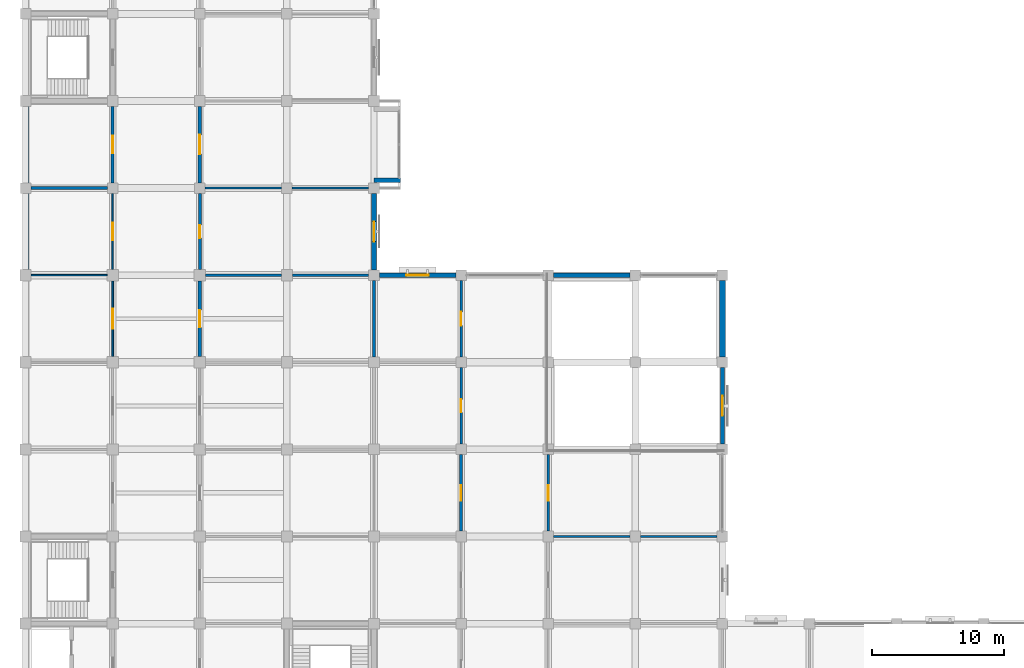
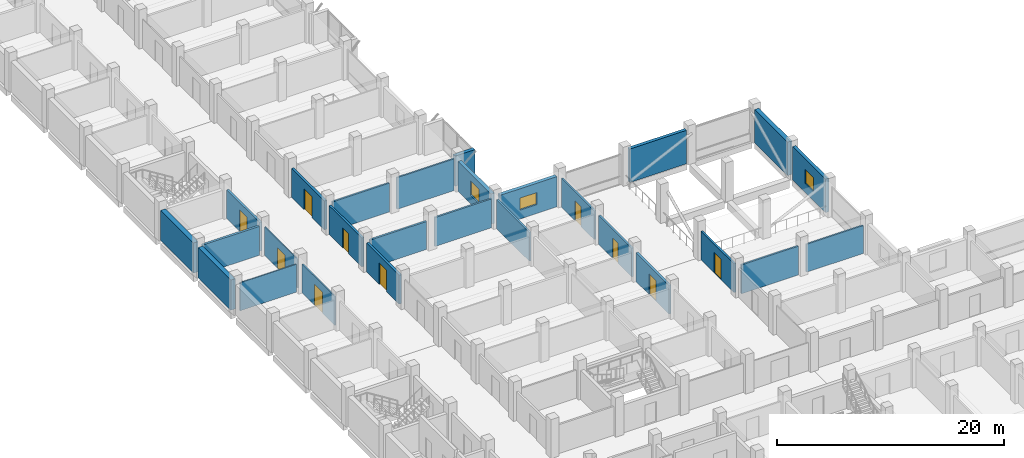
# One storey, part 20 of 30: 27 walls, 10 doors, 3 windows, 13 openings.
"""IFC4 building model written with IfcOpenShell, lengths in metres."""

from ifc_helpers import new_model, si_unit, direction, frame, frame_2d, origin, place, context, subcontext, project, spatial, rectangle, extrude, material, layer, layer_set, type_object, element, fill, save


model = new_model("IFC4")

# Units and contexts
model_context = context("Model", 3, precision=1e-05, world=origin(), true_north=direction((0.0, 1.0)))
body_context = subcontext(model_context, "Body", "Model", "MODEL_VIEW")
ifc_project = project(units=[si_unit("LENGTHUNIT", "METRE"), si_unit("AREAUNIT", "SQUARE_METRE"), si_unit("VOLUMEUNIT", "CUBIC_METRE"), si_unit("PLANEANGLEUNIT", "RADIAN"), si_unit("MASSUNIT", "GRAM", prefix="KILO")], contexts=[model_context])

# Site, building, storey
site_placement = place(None, origin())
site = spatial("IfcSite", under=ifc_project, at=site_placement, CompositionType="ELEMENT")
building_placement = place(site_placement, origin())
building = spatial("IfcBuilding", under=site, at=building_placement, Name="Rusizi Kubbe Research Institute", CompositionType="ELEMENT")
storey_placement = place(building_placement, frame((0.0, 0.0, 10.199951171875)))
storey = spatial("IfcBuildingStorey", under=building, at=storey_placement, Name="L02", CompositionType="ELEMENT", Elevation=10.199951171875)

# Wall
ifc_material_1 = material(Name="Volcanic Basalt Ashlar Masonry", Category="masonry")
ifc_layer_1 = layer(ifc_material_1, 0.43994140625)
ifc_layer_set_1 = layer_set([ifc_layer_1], Name="Volcanic Basalt Ashlar Masonry")
wall_type_1 = type_object("IfcWallType", Name="EW-01", PredefinedType="SOLIDWALL", material=ifc_layer_set_1)
wall_1_placement = place(storey_placement, frame((52.800048828125, 46.60009765625, 0.0), z_axis=(0.0, 0.0, 1.0), x_axis=(0.0, 1.0, 0.0)))
element("IfcWall", 1, at=wall_1_placement, inside=storey, type_object=wall_type_1, Name="Ablaq Stone Exterior Wall L02 V8-7", PredefinedType="SOLIDWALL", context=body_context, shape_type="SweptSolid", body=[
    extrude(rectangle(XDim=5.7998046875, YDim=0.43994140625, at=frame_2d((2.89990234375, 0.0))), origin(), (0.0, 0.0, 1.0), 3.60009765625),
])

# Wall, opening, window
ifc_material_2 = material(Name="Volcanic Basalt Ashlar Masonry", Category="masonry")
ifc_layer_2 = layer(ifc_material_2, 0.35498046875)
ifc_layer_set_2 = layer_set([ifc_layer_2], Name="Volcanic Basalt Ashlar Masonry")
wall_type_2 = type_object("IfcWallType", Name="EW-06", PredefinedType="SOLIDWALL", material=ifc_layer_set_2)
wall_2_placement = place(storey_placement, frame((26.39990234375, 53.199951171875, 0.0), z_axis=(0.0, 0.0, 1.0), x_axis=(0.0, 1.0, 0.0)))
wall_2 = element("IfcWall", 2, at=wall_2_placement, inside=storey, type_object=wall_type_2, Name="Ablaq Stone Exterior Wall L02 V4-8", PredefinedType="SOLIDWALL", context=body_context, shape_type="SweptSolid", body=[
    extrude(rectangle(XDim=5.800048828125, YDim=0.35498046875, at=frame_2d((2.89990234375, 0.0))), origin(), (0.0, 0.0, 1.0), 3.25),
])
opening_1_placement = place(wall_2_placement, frame((2.139892578125, 0.0, 0.949951171875)))
opening_1 = element("IfcOpeningElement", 3, at=opening_1_placement, cuts=wall_2, Name="Opening WN-18", PredefinedType="OPENING", context=body_context, shape_type="SweptSolid", body=[
    extrude(rectangle(XDim=1.52001953125, YDim=1.52001953125, at=frame_2d((0.760009765625, 0.760009765625))), frame((0.0, 0.1875, 0.0), z_axis=(0.0, -1.0, 0.0), x_axis=(1.0, 0.0, 0.0)), (0.0, 0.0, 1.0), 0.375),
])
ifc_material_3 = material(Name="Aluminium Frame and Solar-Control Double Glazing", Category="glass")
window_type_1 = type_object("IfcWindowType", Name="WN-18", PartitioningType="DOUBLE_PANEL_VERTICAL", PredefinedType="WINDOW", material=ifc_material_3)
window_1_placement = place(opening_1_placement, origin())
window_1 = element("IfcWindow", 4, at=window_1_placement, inside=storey, type_object=window_type_1, Name="Casement Window WN-18 L02", OverallHeight=1.52001953125, OverallWidth=1.52001953125, PartitioningType="DOUBLE_PANEL_VERTICAL", PredefinedType="WINDOW", context=body_context, shape_type="SweptSolid", body=[
    extrude(rectangle(XDim=1.52001953125, YDim=1.52001953125, at=frame_2d((0.760009765625, 0.760009765625))), frame((0.0, 0.030029296875, 0.0), z_axis=(0.0, -1.0, 0.0), x_axis=(1.0, 0.0, 0.0)), (0.0, 0.0, 1.0), 0.06005859375),
])
fill(opening_1, window_1)

# Wall
wall_3_placement = place(storey_placement, frame((26.39990234375, 60.0, 0.0), z_axis=(0.0, 0.0, 1.0), x_axis=(1.0, 0.0, 0.0)))
element("IfcWall", 5, at=wall_3_placement, inside=storey, type_object=wall_type_2, Name="Cumba Return Wall S L02 (4,9)", PredefinedType="SOLIDWALL", context=body_context, shape_type="SweptSolid", body=[
    extrude(rectangle(XDim=2.0, YDim=0.35498046875, at=frame_2d((1.0, 0.0))), origin(), (0.0, 0.0, 1.0), 3.25),
])

# Wall, opening, window
wall_4_placement = place(storey_placement, frame((26.800048828125, 52.800048828125, 0.0), z_axis=(0.0, 0.0, 1.0), x_axis=(1.0, 0.0, 0.0)))
wall_4 = element("IfcWall", 6, at=wall_4_placement, inside=storey, type_object=wall_type_2, Name="Ablaq Stone Exterior Wall L02 H4-8", PredefinedType="SOLIDWALL", context=body_context, shape_type="SweptSolid", body=[
    extrude(rectangle(XDim=5.800048828125, YDim=0.35498046875, at=frame_2d((2.89990234375, 0.0))), origin(), (0.0, 0.0, 1.0), 3.25),
])
opening_2_placement = place(wall_4_placement, frame((2.0400390625, 0.0, 0.949951171875)))
opening_2 = element("IfcOpeningElement", 7, at=opening_2_placement, cuts=wall_4, Name="Opening WN-21", PredefinedType="OPENING", context=body_context, shape_type="SweptSolid", body=[
    extrude(rectangle(XDim=1.719970703125, YDim=1.300048828125, at=frame_2d((0.85986328125, 0.64990234375))), frame((0.0, 0.1875, 0.0), z_axis=(0.0, -1.0, 0.0), x_axis=(1.0, 0.0, 0.0)), (0.0, 0.0, 1.0), 0.375),
])
ifc_material_4 = material(Name="Aluminium Frame and Solar-Control Double Glazing", Category="glass")
window_type_2 = type_object("IfcWindowType", Name="WN-21", PartitioningType="DOUBLE_PANEL_VERTICAL", PredefinedType="WINDOW", material=ifc_material_4)
window_2_placement = place(opening_2_placement, origin())
window_2 = element("IfcWindow", 8, at=window_2_placement, inside=storey, type_object=window_type_2, Name="Casement Window WN-21 L02", OverallHeight=1.300048828125, OverallWidth=1.719970703125, PartitioningType="DOUBLE_PANEL_VERTICAL", PredefinedType="WINDOW", context=body_context, shape_type="SweptSolid", body=[
    extrude(rectangle(XDim=1.719970703125, YDim=1.300048828125, at=frame_2d((0.85986328125, 0.64990234375))), frame((0.0, 0.030029296875, 0.0), z_axis=(0.0, -1.0, 0.0), x_axis=(1.0, 0.0, 0.0)), (0.0, 0.0, 1.0), 0.06005859375),
])
fill(opening_2, window_2)

# Wall
ifc_material_5 = material(Name="Volcanic Basalt Ashlar Masonry", Category="masonry")
ifc_layer_3 = layer(ifc_material_5, 0.324951171875)
ifc_layer_set_3 = layer_set([ifc_layer_3], Name="Volcanic Basalt Ashlar Masonry")
wall_type_3 = type_object("IfcWallType", Name="EW-08", PredefinedType="SOLIDWALL", material=ifc_layer_set_3)
wall_5_placement = place(storey_placement, frame((40.0, 52.800048828125, 0.0), z_axis=(0.0, 0.0, 1.0), x_axis=(1.0, 0.0, 0.0)))
element("IfcWall", 9, at=wall_5_placement, inside=storey, type_object=wall_type_3, Name="Ablaq Stone Exterior Wall L02 H6-8", PredefinedType="SOLIDWALL", context=body_context, shape_type="SweptSolid", body=[
    extrude(rectangle(XDim=5.800048828125, YDim=0.324951171875, at=frame_2d((2.89990234375, 0.0))), origin(), (0.0, 0.0, 1.0), 3.60009765625),
])

# Wall, opening, window
wall_6_placement = place(storey_placement, frame((52.800048828125, 40.0, 0.0), z_axis=(0.0, 0.0, 1.0), x_axis=(0.0, 1.0, 0.0)))
wall_6 = element("IfcWall", 10, at=wall_6_placement, inside=storey, type_object=wall_type_3, Name="Ablaq Stone Exterior Wall L02 V8-6", PredefinedType="SOLIDWALL", context=body_context, shape_type="SweptSolid", body=[
    extrude(rectangle(XDim=5.800048828125, YDim=0.324951171875, at=frame_2d((2.89990234375, 0.0))), origin(), (0.0, 0.0, 1.0), 3.60009765625),
])
opening_3_placement = place(wall_6_placement, frame((2.139892578125, 0.0, 0.949951171875)))
opening_3 = element("IfcOpeningElement", 11, at=opening_3_placement, cuts=wall_6, Name="Opening WN-18", PredefinedType="OPENING", context=body_context, shape_type="SweptSolid", body=[
    extrude(rectangle(XDim=1.52001953125, YDim=1.52001953125, at=frame_2d((0.760009765625, 0.760009765625))), frame((0.0, 0.17236328125, 0.0), z_axis=(0.0, -1.0, 0.0), x_axis=(1.0, 0.0, 0.0)), (0.0, 0.0, 1.0), 0.344970703125),
])
window_3_placement = place(opening_3_placement, origin())
window_3 = element("IfcWindow", 12, at=window_3_placement, inside=storey, type_object=window_type_1, Name="Casement Window WN-18 L02", OverallHeight=1.52001953125, OverallWidth=1.52001953125, PartitioningType="DOUBLE_PANEL_VERTICAL", PredefinedType="WINDOW", context=body_context, shape_type="SweptSolid", body=[
    extrude(rectangle(XDim=1.52001953125, YDim=1.52001953125, at=frame_2d((0.760009765625, 0.760009765625))), frame((0.0, 0.030029296875, 0.0), z_axis=(0.0, -1.0, 0.0), x_axis=(1.0, 0.0, 0.0)), (0.0, 0.0, 1.0), 0.06005859375),
])
fill(opening_3, window_3)

# Wall
ifc_material_6 = material(Name="Concrete Blockwork Fire Partition", Category="masonry")
ifc_layer_4 = layer(ifc_material_6, 0.22509765625)
ifc_layer_set_4 = layer_set([ifc_layer_4], Name="Concrete Blockwork Fire Partition")
wall_type_4 = type_object("IfcWallType", Name="IW-01", PredefinedType="PARTITIONING", material=ifc_layer_set_4)
wall_7_placement = place(storey_placement, frame((0.39990234375, 59.39990234375, 0.0), z_axis=(0.0, 0.0, 1.0), x_axis=(1.0, 0.0, 0.0)))
element("IfcWall", 13, at=wall_7_placement, inside=storey, type_object=wall_type_4, Name="Interior Partition Wall L02 H0-9", PredefinedType="PARTITIONING", context=body_context, shape_type="SweptSolid", body=[
    extrude(rectangle(XDim=5.800048828125, YDim=0.22509765625, at=frame_2d((2.89990234375, 0.0))), origin(), (0.0, 0.0, 1.0), 3.10009765625),
])

# Wall, opening, door
wall_8_placement = place(storey_placement, frame((6.60009765625, 59.800048828125, 0.0), z_axis=(0.0, 0.0, 1.0), x_axis=(0.0, 1.0, 0.0)))
wall_8 = element("IfcWall", 14, at=wall_8_placement, inside=storey, type_object=wall_type_4, Name="Interior Partition Wall L02 V1-9", PredefinedType="PARTITIONING", context=body_context, shape_type="SweptSolid", body=[
    extrude(rectangle(XDim=5.800048828125, YDim=0.22509765625, at=frame_2d((2.89990234375, 0.0))), origin(), (0.0, 0.0, 1.0), 3.10009765625),
])
opening_4_placement = place(wall_8_placement, frame((2.22509765625, 0.0, 0.0)))
opening_4 = element("IfcOpeningElement", 15, at=opening_4_placement, cuts=wall_8, Name="Opening D-13", PredefinedType="OPENING", context=body_context, shape_type="SweptSolid", body=[
    extrude(rectangle(XDim=1.35009765625, YDim=2.300048828125, at=frame_2d((0.675048828125, 1.14990234375))), frame((0.0, 0.12255859375, 0.0), z_axis=(0.0, -1.0, 0.0), x_axis=(1.0, 0.0, 0.0)), (0.0, 0.0, 1.0), 0.2451171875),
])
ifc_material_7 = material(Name="Fire-Rated Steel Frame and Acoustic Timber Leaf", Category="wood")
door_type_1 = type_object("IfcDoorType", Name="ID-LAB-135", OperationType="NOTDEFINED", PredefinedType="DOOR", material=ifc_material_7)
door_1_placement = place(opening_4_placement, origin())
door_1 = element("IfcDoor", 16, at=door_1_placement, inside=storey, type_object=door_type_1, Name="Door to Clean Room Metrology Laboratory (L02-WSP-09)", OperationType="SINGLE_SWING_LEFT", OverallHeight=2.300048828125, OverallWidth=1.35009765625, PredefinedType="DOOR", context=body_context, shape_type="SweptSolid", body=[
    extrude(rectangle(XDim=1.35009765625, YDim=2.300048828125, at=frame_2d((0.675048828125, 1.14990234375))), frame((0.0, 0.02490234375, 0.0), z_axis=(0.0, -1.0, 0.0), x_axis=(1.0, 0.0, 0.0)), (0.0, 0.0, 1.0), 0.050048828125),
])
fill(opening_4, door_1)

wall_9_placement = place(storey_placement, frame((13.199951171875, 53.22509765625, 0.0), z_axis=(0.0, 0.0, 1.0), x_axis=(0.0, 1.0, 0.0)))
wall_9 = element("IfcWall", 17, at=wall_9_placement, inside=storey, type_object=wall_type_4, Name="Interior Partition Wall L02 V2-8", PredefinedType="PARTITIONING", context=body_context, shape_type="SweptSolid", body=[
    extrude(rectangle(XDim=5.77490234375, YDim=0.22509765625, at=frame_2d((2.887451171875, 0.0))), origin(), (0.0, 0.0, 1.0), 3.10009765625),
])
opening_5_placement = place(wall_9_placement, frame((2.385009765625, 0.0, 0.0)))
opening_5 = element("IfcOpeningElement", 18, at=opening_5_placement, cuts=wall_9, Name="Opening D-20", PredefinedType="OPENING", context=body_context, shape_type="SweptSolid", body=[
    extrude(rectangle(XDim=0.97998046875, YDim=2.14990234375, at=frame_2d((0.489990234375, 1.074951171875))), frame((0.0, 0.12255859375, 0.0), z_axis=(0.0, -1.0, 0.0), x_axis=(1.0, 0.0, 0.0)), (0.0, 0.0, 1.0), 0.2451171875),
])
ifc_material_8 = material(Name="Fire-Rated Steel Frame and Acoustic Timber Leaf", Category="wood")
door_type_2 = type_object("IfcDoorType", Name="ID-OFF-980", OperationType="NOTDEFINED", PredefinedType="DOOR", material=ifc_material_8)
door_2_placement = place(opening_5_placement, origin())
door_2 = element("IfcDoor", 19, at=door_2_placement, inside=storey, type_object=door_type_2, Name="Door to Write-up Office (L02-NW-06)", OperationType="SINGLE_SWING_LEFT", OverallHeight=2.14990234375, OverallWidth=0.97998046875, PredefinedType="DOOR", context=body_context, shape_type="SweptSolid", body=[
    extrude(rectangle(XDim=0.97998046875, YDim=2.14990234375, at=frame_2d((0.489990234375, 1.074951171875))), frame((0.0, 0.02490234375, 0.0), z_axis=(0.0, -1.0, 0.0), x_axis=(1.0, 0.0, 0.0)), (0.0, 0.0, 1.0), 0.050048828125),
])
fill(opening_5, door_2)

wall_10_placement = place(storey_placement, frame((33.0, 33.39990234375, 0.0), z_axis=(0.0, 0.0, 1.0), x_axis=(0.0, 1.0, 0.0)))
wall_10 = element("IfcWall", 20, at=wall_10_placement, inside=storey, type_object=wall_type_4, Name="Interior Partition Wall L02 V5-5", PredefinedType="PARTITIONING", context=body_context, shape_type="SweptSolid", body=[
    extrude(rectangle(XDim=5.800048828125, YDim=0.22509765625, at=frame_2d((2.89990234375, 0.0))), origin(), (0.0, 0.0, 1.0), 3.10009765625),
])
opening_6_placement = place(wall_10_placement, frame((2.31005859375, 0.0, 0.0)))
opening_6 = element("IfcOpeningElement", 21, at=opening_6_placement, cuts=wall_10, Name="Opening D-19", PredefinedType="OPENING", context=body_context, shape_type="SweptSolid", body=[
    extrude(rectangle(XDim=1.179931640625, YDim=2.199951171875, at=frame_2d((0.58984375, 1.10009765625))), frame((0.0, 0.12255859375, 0.0), z_axis=(0.0, -1.0, 0.0), x_axis=(1.0, 0.0, 0.0)), (0.0, 0.0, 1.0), 0.2451171875),
])
ifc_material_9 = material(Name="Fire-Rated Steel Frame and Acoustic Timber Leaf", Category="wood")
door_type_3 = type_object("IfcDoorType", Name="ID-OFF-118", OperationType="NOTDEFINED", PredefinedType="DOOR", material=ifc_material_9)
door_3_placement = place(opening_6_placement, origin())
door_3 = element("IfcDoor", 22, at=door_3_placement, inside=storey, type_object=door_type_3, Name="Door to Write-up Office (L02-ELBW-05)", OperationType="SINGLE_SWING_RIGHT", OverallHeight=2.199951171875, OverallWidth=1.179931640625, PredefinedType="DOOR", context=body_context, shape_type="SweptSolid", body=[
    extrude(rectangle(XDim=1.179931640625, YDim=2.199951171875, at=frame_2d((0.58984375, 1.10009765625))), frame((0.0, 0.02490234375, 0.0), z_axis=(0.0, -1.0, 0.0), x_axis=(1.0, 0.0, 0.0)), (0.0, 0.0, 1.0), 0.050048828125),
])
fill(opening_6, door_3)

# Walls
ifc_material_10 = material(Name="Insulated Cleanroom Partition", Category="masonry")
ifc_layer_5 = layer(ifc_material_10, 0.195068359375)
ifc_layer_set_5 = layer_set([ifc_layer_5], Name="Insulated Cleanroom Partition")
wall_type_5 = type_object("IfcWallType", Name="IW-02", PredefinedType="PARTITIONING", material=ifc_layer_set_5)
wall_11_placement = place(storey_placement, frame((13.625, 52.800048828125, 0.0), z_axis=(0.0, 0.0, 1.0), x_axis=(1.0, 0.0, 0.0)))
element("IfcWall", 23, at=wall_11_placement, inside=storey, type_object=wall_type_5, Name="Interior Partition Wall L02 H2-8", PredefinedType="PARTITIONING", context=body_context, shape_type="SweptSolid", body=[
    extrude(rectangle(XDim=5.75, YDim=0.195068359375, at=frame_2d((2.875, 0.0))), origin(), (0.0, 0.0, 1.0), 3.0),
])
wall_12_placement = place(storey_placement, frame((26.39990234375, 46.60009765625, 0.0), z_axis=(0.0, 0.0, 1.0), x_axis=(0.0, 1.0, 0.0)))
element("IfcWall", 24, at=wall_12_placement, inside=storey, type_object=wall_type_5, Name="Interior Partition Wall L02 V4-7", PredefinedType="PARTITIONING", context=body_context, shape_type="SweptSolid", body=[
    extrude(rectangle(XDim=5.7998046875, YDim=0.195068359375, at=frame_2d((2.89990234375, 0.0))), origin(), (0.0, 0.0, 1.0), 3.10009765625),
])

# Wall, opening, door
wall_13_placement = place(storey_placement, frame((33.0, 40.0, 0.0), z_axis=(0.0, 0.0, 1.0), x_axis=(0.0, 1.0, 0.0)))
wall_13 = element("IfcWall", 25, at=wall_13_placement, inside=storey, type_object=wall_type_5, Name="Interior Partition Wall L02 V5-6", PredefinedType="PARTITIONING", context=body_context, shape_type="SweptSolid", body=[
    extrude(rectangle(XDim=5.800048828125, YDim=0.195068359375, at=frame_2d((2.89990234375, 0.0))), origin(), (0.0, 0.0, 1.0), 3.10009765625),
])
opening_7_placement = place(wall_13_placement, frame((2.409912109375, 0.0, 0.0)))
opening_7 = element("IfcOpeningElement", 26, at=opening_7_placement, cuts=wall_13, Name="Opening D-20", PredefinedType="OPENING", context=body_context, shape_type="SweptSolid", body=[
    extrude(rectangle(XDim=0.97998046875, YDim=2.14990234375, at=frame_2d((0.489990234375, 1.074951171875))), frame((0.0, 0.107421875, 0.0), z_axis=(0.0, -1.0, 0.0), x_axis=(1.0, 0.0, 0.0)), (0.0, 0.0, 1.0), 0.215087890625),
])
door_4_placement = place(opening_7_placement, origin())
door_4 = element("IfcDoor", 27, at=door_4_placement, inside=storey, type_object=door_type_2, Name="Door to Write-up Office (L02-ELBW-06)", OperationType="SINGLE_SWING_LEFT", OverallHeight=2.14990234375, OverallWidth=0.97998046875, PredefinedType="DOOR", context=body_context, shape_type="SweptSolid", body=[
    extrude(rectangle(XDim=0.97998046875, YDim=2.14990234375, at=frame_2d((0.489990234375, 1.074951171875))), frame((0.0, 0.02490234375, 0.0), z_axis=(0.0, -1.0, 0.0), x_axis=(1.0, 0.0, 0.0)), (0.0, 0.0, 1.0), 0.050048828125),
])
fill(opening_7, door_4)

wall_14_placement = place(storey_placement, frame((39.60009765625, 33.39990234375, 0.0), z_axis=(0.0, 0.0, 1.0), x_axis=(0.0, 1.0, 0.0)))
wall_14 = element("IfcWall", 28, at=wall_14_placement, inside=storey, type_object=wall_type_5, Name="Interior Partition Wall L02 V6-5", PredefinedType="PARTITIONING", context=body_context, shape_type="SweptSolid", body=[
    extrude(rectangle(XDim=5.800048828125, YDim=0.195068359375, at=frame_2d((2.89990234375, 0.0))), origin(), (0.0, 0.0, 1.0), 3.10009765625),
])
opening_8_placement = place(wall_14_placement, frame((2.31005859375, 0.0, 0.0)))
opening_8 = element("IfcOpeningElement", 29, at=opening_8_placement, cuts=wall_14, Name="Opening D-19", PredefinedType="OPENING", context=body_context, shape_type="SweptSolid", body=[
    extrude(rectangle(XDim=1.179931640625, YDim=2.199951171875, at=frame_2d((0.58984375, 1.10009765625))), frame((0.0, 0.107421875, 0.0), z_axis=(0.0, -1.0, 0.0), x_axis=(1.0, 0.0, 0.0)), (0.0, 0.0, 1.0), 0.215087890625),
])
door_5_placement = place(opening_8_placement, origin())
door_5 = element("IfcDoor", 30, at=door_5_placement, inside=storey, type_object=door_type_3, Name="Door to Write-up Office (L02-ELBE-05)", OperationType="SINGLE_SWING_RIGHT", OverallHeight=2.199951171875, OverallWidth=1.179931640625, PredefinedType="DOOR", context=body_context, shape_type="SweptSolid", body=[
    extrude(rectangle(XDim=1.179931640625, YDim=2.199951171875, at=frame_2d((0.58984375, 1.10009765625))), frame((0.0, 0.02490234375, 0.0), z_axis=(0.0, -1.0, 0.0), x_axis=(1.0, 0.0, 0.0)), (0.0, 0.0, 1.0), 0.050048828125),
])
fill(opening_8, door_5)

# Walls
ifc_material_11 = material(Name="Acoustic Laboratory Partition", Category="masonry")
ifc_layer_6 = layer(ifc_material_11, 0.175048828125)
ifc_layer_set_6 = layer_set([ifc_layer_6], Name="Acoustic Laboratory Partition")
wall_type_6 = type_object("IfcWallType", Name="IW-03", PredefinedType="PARTITIONING", material=ifc_layer_set_6)
wall_15_placement = place(storey_placement, frame((13.60009765625, 59.39990234375, 0.0), z_axis=(0.0, 0.0, 1.0), x_axis=(1.0, 0.0, 0.0)))
element("IfcWall", 31, at=wall_15_placement, inside=storey, type_object=wall_type_6, Name="Interior Partition Wall L02 H2-9", PredefinedType="PARTITIONING", context=body_context, shape_type="SweptSolid", body=[
    extrude(rectangle(XDim=5.7998046875, YDim=0.175048828125, at=frame_2d((2.89990234375, 0.0))), origin(), (0.0, 0.0, 1.0), 3.10009765625),
])
wall_16_placement = place(storey_placement, frame((20.22509765625, 52.800048828125, 0.0), z_axis=(0.0, 0.0, 1.0), x_axis=(1.0, 0.0, 0.0)))
element("IfcWall", 32, at=wall_16_placement, inside=storey, type_object=wall_type_6, Name="Interior Partition Wall L02 H3-8", PredefinedType="PARTITIONING", context=body_context, shape_type="SweptSolid", body=[
    extrude(rectangle(XDim=5.77490234375, YDim=0.175048828125, at=frame_2d((2.887451171875, 0.0))), origin(), (0.0, 0.0, 1.0), 3.10009765625),
])

# Wall, opening, door
wall_17_placement = place(storey_placement, frame((33.0, 46.60009765625, 0.0), z_axis=(0.0, 0.0, 1.0), x_axis=(0.0, 1.0, 0.0)))
wall_17 = element("IfcWall", 33, at=wall_17_placement, inside=storey, type_object=wall_type_6, Name="Interior Partition Wall L02 V5-7", PredefinedType="PARTITIONING", context=body_context, shape_type="SweptSolid", body=[
    extrude(rectangle(XDim=5.7998046875, YDim=0.175048828125, at=frame_2d((2.89990234375, 0.0))), origin(), (0.0, 0.0, 1.0), 3.10009765625),
])
opening_9_placement = place(wall_17_placement, frame((2.375, 0.0, 0.0)))
opening_9 = element("IfcOpeningElement", 34, at=opening_9_placement, cuts=wall_17, Name="Opening D-16", PredefinedType="OPENING", context=body_context, shape_type="SweptSolid", body=[
    extrude(rectangle(XDim=1.050048828125, YDim=2.14990234375, at=frame_2d((0.52490234375, 1.074951171875))), frame((0.0, 0.097412109375, 0.0), z_axis=(0.0, -1.0, 0.0), x_axis=(1.0, 0.0, 0.0)), (0.0, 0.0, 1.0), 0.195068359375),
])
ifc_material_12 = material(Name="Fire-Rated Steel Frame and Acoustic Timber Leaf", Category="wood")
door_type_4 = type_object("IfcDoorType", Name="ID-OFF-105", OperationType="NOTDEFINED", PredefinedType="DOOR", material=ifc_material_12)
door_6_placement = place(opening_9_placement, origin())
door_6 = element("IfcDoor", 35, at=door_6_placement, inside=storey, type_object=door_type_4, Name="Door to Write-up Office (L02-ELBW-07)", OperationType="SINGLE_SWING_LEFT", OverallHeight=2.14990234375, OverallWidth=1.050048828125, PredefinedType="DOOR", context=body_context, shape_type="SweptSolid", body=[
    extrude(rectangle(XDim=1.050048828125, YDim=2.14990234375, at=frame_2d((0.52490234375, 1.074951171875))), frame((0.0, 0.02490234375, 0.0), z_axis=(0.0, -1.0, 0.0), x_axis=(1.0, 0.0, 0.0)), (0.0, 0.0, 1.0), 0.050048828125),
])
fill(opening_9, door_6)

# Walls
wall_18_placement = place(storey_placement, frame((40.0, 33.0, 0.0), z_axis=(0.0, 0.0, 1.0), x_axis=(1.0, 0.0, 0.0)))
element("IfcWall", 36, at=wall_18_placement, inside=storey, type_object=wall_type_6, Name="Interior Partition Wall L02 H6-5", PredefinedType="PARTITIONING", context=body_context, shape_type="SweptSolid", body=[
    extrude(rectangle(XDim=5.800048828125, YDim=0.175048828125, at=frame_2d((2.89990234375, 0.0))), origin(), (0.0, 0.0, 1.0), 3.10009765625),
])
ifc_material_13 = material(Name="Fire-Rated Corridor Partition", Category="masonry")
ifc_layer_7 = layer(ifc_material_13, 0.155029296875)
ifc_layer_set_7 = layer_set([ifc_layer_7], Name="Fire-Rated Corridor Partition")
wall_type_7 = type_object("IfcWallType", Name="IW-04", PredefinedType="PARTITIONING", material=ifc_layer_set_7)
wall_19_placement = place(storey_placement, frame((20.199951171875, 59.39990234375, 0.0), z_axis=(0.0, 0.0, 1.0), x_axis=(1.0, 0.0, 0.0)))
element("IfcWall", 37, at=wall_19_placement, inside=storey, type_object=wall_type_7, Name="Interior Partition Wall L02 H3-9", PredefinedType="PARTITIONING", context=body_context, shape_type="SweptSolid", body=[
    extrude(rectangle(XDim=5.800048828125, YDim=0.155029296875, at=frame_2d((2.89990234375, 0.0))), origin(), (0.0, 0.0, 1.0), 3.400146484375),
])
wall_20_placement = place(storey_placement, frame((46.60009765625, 33.0, 0.0), z_axis=(0.0, 0.0, 1.0), x_axis=(1.0, 0.0, 0.0)))
element("IfcWall", 38, at=wall_20_placement, inside=storey, type_object=wall_type_7, Name="Interior Partition Wall L02 H7-5", PredefinedType="PARTITIONING", context=body_context, shape_type="SweptSolid", body=[
    extrude(rectangle(XDim=5.7998046875, YDim=0.155029296875, at=frame_2d((2.89990234375, 0.0))), origin(), (0.0, 0.0, 1.0), 3.0),
])

# Wall, opening, door
ifc_material_14 = material(Name="Write-up Glazed Acoustic Partition", Category="masonry")
ifc_layer_8 = layer(ifc_material_14, 0.139892578125)
ifc_layer_set_8 = layer_set([ifc_layer_8], Name="Write-up Glazed Acoustic Partition")
wall_type_8 = type_object("IfcWallType", Name="IW-05", PredefinedType="PARTITIONING", material=ifc_layer_set_8)
wall_21_placement = place(storey_placement, frame((6.60009765625, 46.625, 0.0), z_axis=(0.0, 0.0, 1.0), x_axis=(0.0, 1.0, 0.0)))
wall_21 = element("IfcWall", 39, at=wall_21_placement, inside=storey, type_object=wall_type_8, Name="Interior Partition Wall L02 V1-7", PredefinedType="PARTITIONING", context=body_context, shape_type="SweptSolid", body=[
    extrude(rectangle(XDim=5.75, YDim=0.139892578125, at=frame_2d((2.875, 0.0))), origin(), (0.0, 0.0, 1.0), 3.10009765625),
])
opening_10_placement = place(wall_21_placement, frame((2.135009765625, 0.0, 0.0)))
opening_10 = element("IfcOpeningElement", 40, at=opening_10_placement, cuts=wall_21, Name="Opening LD-08", PredefinedType="OPENING", context=body_context, shape_type="SweptSolid", body=[
    extrude(rectangle(XDim=1.47998046875, YDim=2.25, at=frame_2d((0.739990234375, 1.125))), frame((0.0, 0.079833984375, 0.0), z_axis=(0.0, -1.0, 0.0), x_axis=(1.0, 0.0, 0.0)), (0.0, 0.0, 1.0), 0.159912109375),
])
ifc_material_15 = material(Name="Brushed Stainless Steel Sliding Door", Category="steel")
door_type_5 = type_object("IfcDoorType", Name="LD-08", OperationType="DOUBLE_DOOR_SLIDING", PredefinedType="USERDEFINED", material=ifc_material_15)
door_7_placement = place(opening_10_placement, origin())
door_7 = element("IfcDoor", 41, at=door_7_placement, inside=storey, type_object=door_type_5, Name="Door to Clean Room Gowning Airlock (L02-ALK-07)", ObjectType="SLIDING DOOR", OperationType="DOUBLE_DOOR_SLIDING", OverallHeight=2.25, OverallWidth=1.47998046875, PredefinedType="USERDEFINED", context=body_context, shape_type="SweptSolid", body=[
    extrude(rectangle(XDim=1.47998046875, YDim=2.25, at=frame_2d((0.739990234375, 1.125))), frame((0.0, 0.02490234375, 0.0), z_axis=(0.0, -1.0, 0.0), x_axis=(1.0, 0.0, 0.0)), (0.0, 0.0, 1.0), 0.050048828125),
])
fill(opening_10, door_7)

# Wall
ifc_material_16 = material(Name="Sub-Suite Fire Partition", Category="masonry")
ifc_layer_9 = layer(ifc_material_16, 0.110107421875)
ifc_layer_set_9 = layer_set([ifc_layer_9], Name="Sub-Suite Fire Partition")
wall_type_9 = type_object("IfcWallType", Name="IW-07", PredefinedType="PARTITIONING", material=ifc_layer_set_9)
wall_22_placement = place(storey_placement, frame((0.425048828125, 52.800048828125, 0.0), z_axis=(0.0, 0.0, 1.0), x_axis=(1.0, 0.0, 0.0)))
element("IfcWall", 42, at=wall_22_placement, inside=storey, type_object=wall_type_9, Name="Interior Partition Wall L02 H0-8", PredefinedType="PARTITIONING", context=body_context, shape_type="SweptSolid", body=[
    extrude(rectangle(XDim=5.75, YDim=0.110107421875, at=frame_2d((2.875, 0.0))), origin(), (0.0, 0.0, 1.0), 3.0),
])

# Wall, opening, door
wall_23_placement = place(storey_placement, frame((6.60009765625, 53.22509765625, 0.0), z_axis=(0.0, 0.0, 1.0), x_axis=(0.0, 1.0, 0.0)))
wall_23 = element("IfcWall", 43, at=wall_23_placement, inside=storey, type_object=wall_type_9, Name="Interior Partition Wall L02 V1-8", PredefinedType="PARTITIONING", context=body_context, shape_type="SweptSolid", body=[
    extrude(rectangle(XDim=5.77490234375, YDim=0.110107421875, at=frame_2d((2.887451171875, 0.0))), origin(), (0.0, 0.0, 1.0), 3.10009765625),
])
opening_11_placement = place(wall_23_placement, frame((2.215087890625, 0.0, 0.0)))
opening_11 = element("IfcOpeningElement", 44, at=opening_11_placement, cuts=wall_23, Name="Opening LD-07", PredefinedType="OPENING", context=body_context, shape_type="SweptSolid", body=[
    extrude(rectangle(XDim=1.320068359375, YDim=2.199951171875, at=frame_2d((0.66015625, 1.10009765625))), frame((0.0, 0.06494140625, 0.0), z_axis=(0.0, -1.0, 0.0), x_axis=(1.0, 0.0, 0.0)), (0.0, 0.0, 1.0), 0.130126953125),
])
ifc_material_17 = material(Name="Brushed Stainless Steel Sliding Door", Category="steel")
door_type_6 = type_object("IfcDoorType", Name="LD-07", OperationType="DOUBLE_DOOR_SLIDING", PredefinedType="USERDEFINED", material=ifc_material_17)
door_8_placement = place(opening_11_placement, origin())
door_8 = element("IfcDoor", 45, at=door_8_placement, inside=storey, type_object=door_type_6, Name="Door to ISO-6 Clean Room Suite (L02-CR-08)", ObjectType="SLIDING DOOR", OperationType="DOUBLE_DOOR_SLIDING", OverallHeight=2.199951171875, OverallWidth=1.320068359375, PredefinedType="USERDEFINED", context=body_context, shape_type="SweptSolid", body=[
    extrude(rectangle(XDim=1.320068359375, YDim=2.199951171875, at=frame_2d((0.66015625, 1.10009765625))), frame((0.0, 0.02490234375, 0.0), z_axis=(0.0, -1.0, 0.0), x_axis=(1.0, 0.0, 0.0)), (0.0, 0.0, 1.0), 0.050048828125),
])
fill(opening_11, door_8)

# Walls
ifc_material_18 = material(Name="Concrete C40/50", Category="concrete")
ifc_layer_10 = layer(ifc_material_18, 0.47998046875)
ifc_layer_set_10 = layer_set([ifc_layer_10], Name="Concrete C40/50")
wall_type_10 = type_object("IfcWallType", Name="PW-01", PredefinedType="SOLIDWALL", material=ifc_layer_set_10)
wall_24_placement = place(storey_placement, frame((0.0, 53.22509765625, 0.0), z_axis=(0.0, 0.0, 1.0), x_axis=(0.0, 1.0, 0.0)))
element("IfcWall", 46, at=wall_24_placement, inside=storey, type_object=wall_type_10, Name="Blind Party Wall L02 V0-8", PredefinedType="SOLIDWALL", context=body_context, shape_type="SweptSolid", body=[
    extrude(rectangle(XDim=5.77490234375, YDim=0.47998046875, at=frame_2d((2.887451171875, 0.0))), origin(), (0.0, 0.0, 1.0), 3.25),
])
wall_25_placement = place(storey_placement, frame((0.0, 59.800048828125, 0.0), z_axis=(0.0, 0.0, 1.0), x_axis=(0.0, 1.0, 0.0)))
element("IfcWall", 47, at=wall_25_placement, inside=storey, type_object=wall_type_10, Name="Blind Party Wall L02 V0-9", PredefinedType="SOLIDWALL", context=body_context, shape_type="SweptSolid", body=[
    extrude(rectangle(XDim=5.800048828125, YDim=0.47998046875, at=frame_2d((2.89990234375, 0.0))), origin(), (0.0, 0.0, 1.0), 3.25),
])

# Wall, opening, door
ifc_material_19 = material(Name="Concrete C40/50", Category="concrete")
ifc_layer_11 = layer(ifc_material_19, 0.2548828125)
ifc_layer_set_11 = layer_set([ifc_layer_11], Name="Concrete C40/50")
wall_type_11 = type_object("IfcWallType", Name="SHW-02", PredefinedType="SHEAR", material=ifc_layer_set_11)
wall_26_placement = place(storey_placement, frame((13.199951171875, 46.625, 0.0), z_axis=(0.0, 0.0, 1.0), x_axis=(0.0, 1.0, 0.0)))
wall_26 = element("IfcWall", 48, at=wall_26_placement, inside=storey, type_object=wall_type_11, Name="Interior Partition Wall L02 V2-7", PredefinedType="SHEAR", context=body_context, shape_type="SweptSolid", body=[
    extrude(rectangle(XDim=5.75, YDim=0.2548828125, at=frame_2d((2.875, 0.0))), origin(), (0.0, 0.0, 1.0), 3.10009765625),
])
opening_12_placement = place(wall_26_placement, frame((2.22509765625, 0.0, 0.0)))
opening_12 = element("IfcOpeningElement", 49, at=opening_12_placement, cuts=wall_26, Name="Opening D-14", PredefinedType="OPENING", context=body_context, shape_type="SweptSolid", body=[
    extrude(rectangle(XDim=1.300048828125, YDim=2.300048828125, at=frame_2d((0.64990234375, 1.14990234375))), frame((0.0, 0.137451171875, 0.0), z_axis=(0.0, -1.0, 0.0), x_axis=(1.0, 0.0, 0.0)), (0.0, 0.0, 1.0), 0.27490234375),
])
ifc_material_20 = material(Name="Fire-Rated Steel Frame and Acoustic Timber Leaf", Category="wood")
door_type_7 = type_object("IfcDoorType", Name="ID-LAB-130", OperationType="NOTDEFINED", PredefinedType="DOOR", material=ifc_material_20)
door_9_placement = place(opening_12_placement, origin())
door_9 = element("IfcDoor", 50, at=door_9_placement, inside=storey, type_object=door_type_7, Name="Door to Computational Dry Laboratory (L02-NW-05)", OperationType="SINGLE_SWING_RIGHT", OverallHeight=2.300048828125, OverallWidth=1.300048828125, PredefinedType="DOOR", context=body_context, shape_type="SweptSolid", body=[
    extrude(rectangle(XDim=1.300048828125, YDim=2.300048828125, at=frame_2d((0.64990234375, 1.14990234375))), frame((0.0, 0.02490234375, 0.0), z_axis=(0.0, -1.0, 0.0), x_axis=(1.0, 0.0, 0.0)), (0.0, 0.0, 1.0), 0.050048828125),
])
fill(opening_12, door_9)

wall_27_placement = place(storey_placement, frame((13.199951171875, 59.800048828125, 0.0), z_axis=(0.0, 0.0, 1.0), x_axis=(0.0, 1.0, 0.0)))
wall_27 = element("IfcWall", 51, at=wall_27_placement, inside=storey, type_object=wall_type_11, Name="Interior Partition Wall L02 V2-9", PredefinedType="SHEAR", context=body_context, shape_type="SweptSolid", body=[
    extrude(rectangle(XDim=5.800048828125, YDim=0.2548828125, at=frame_2d((2.89990234375, 0.0))), origin(), (0.0, 0.0, 1.0), 3.10009765625),
])
opening_13_placement = place(wall_27_placement, frame((2.175048828125, 0.0, 0.0)))
opening_13 = element("IfcOpeningElement", 52, at=opening_13_placement, cuts=wall_27, Name="Opening D-11", PredefinedType="OPENING", context=body_context, shape_type="SweptSolid", body=[
    extrude(rectangle(XDim=1.449951171875, YDim=2.25, at=frame_2d((0.72509765625, 1.125))), frame((0.0, 0.137451171875, 0.0), z_axis=(0.0, -1.0, 0.0), x_axis=(1.0, 0.0, 0.0)), (0.0, 0.0, 1.0), 0.27490234375),
])
ifc_material_21 = material(Name="Fire-Rated Steel Frame and Acoustic Timber Leaf", Category="wood")
door_type_8 = type_object("IfcDoorType", Name="ID-LAB-145", OperationType="NOTDEFINED", PredefinedType="DOOR", material=ifc_material_21)
door_10_placement = place(opening_13_placement, origin())
door_10 = element("IfcDoor", 53, at=door_10_placement, inside=storey, type_object=door_type_8, Name="Door to Bioscience Wet Laboratory (L02-NW-07)", OperationType="SINGLE_SWING_LEFT", OverallHeight=2.25, OverallWidth=1.449951171875, PredefinedType="DOOR", context=body_context, shape_type="SweptSolid", body=[
    extrude(rectangle(XDim=1.449951171875, YDim=2.25, at=frame_2d((0.72509765625, 1.125))), frame((0.0, 0.02490234375, 0.0), z_axis=(0.0, -1.0, 0.0), x_axis=(1.0, 0.0, 0.0)), (0.0, 0.0, 1.0), 0.050048828125),
])
fill(opening_13, door_10)

save(model, "model.ifc")
